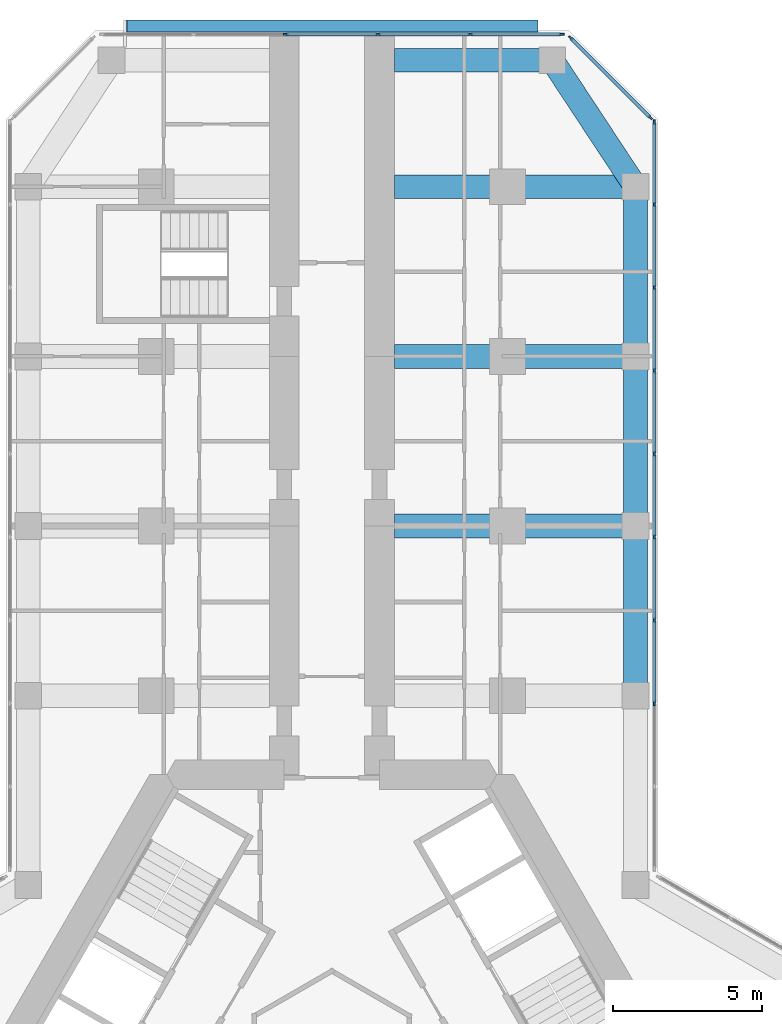
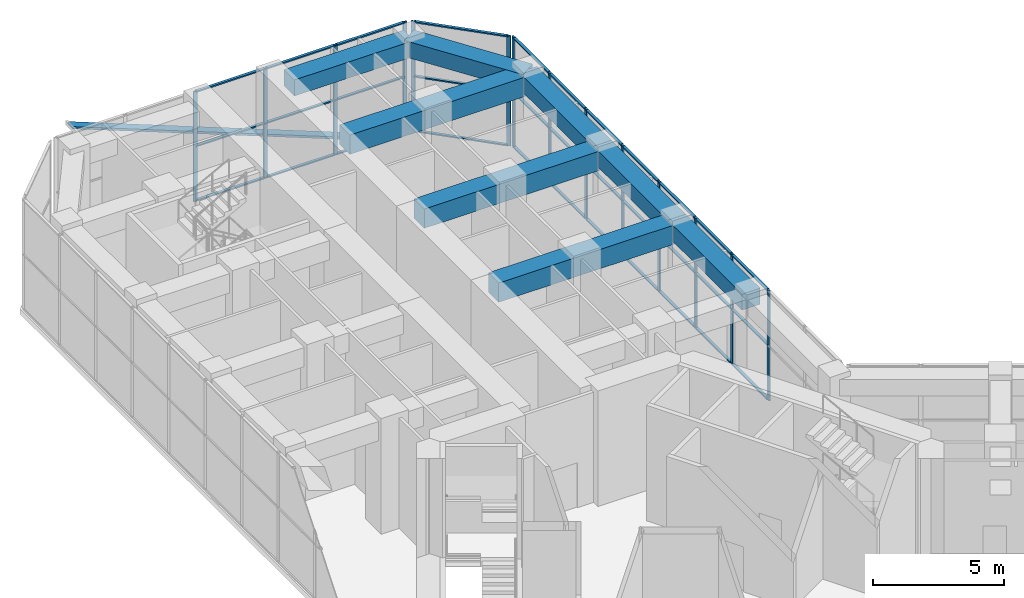
# One storey, part 9 of 23: 48 members, 8 beams, 3 elements without a shape of their own.
"""IFC4 building model written with IfcOpenShell, lengths in metres."""

from ifc_helpers import new_model, si_unit, direction, frame, origin, origin_2d, place, context, subcontext, project, spatial, rectangle, extrude, material, material_profile, profile_set, type_object, element, aggregate, save


model = new_model("IFC4")

# Units and contexts
model_context = context("Model", 3, precision=1e-05, world=origin(), true_north=direction((0.0, 1.0)))
body_context = subcontext(model_context, "Body", "Model", "MODEL_VIEW")
ifc_project = project(units=[si_unit("LENGTHUNIT", "METRE"), si_unit("AREAUNIT", "SQUARE_METRE"), si_unit("VOLUMEUNIT", "CUBIC_METRE"), si_unit("PLANEANGLEUNIT", "RADIAN"), si_unit("MASSUNIT", "GRAM", prefix="KILO")], contexts=[model_context])

# Site, building, storey
site_placement = place(None, origin())
site = spatial("IfcSite", under=ifc_project, at=site_placement, CompositionType="ELEMENT")
building_placement = place(site_placement, origin())
building = spatial("IfcBuilding", under=site, at=building_placement, Name="Kosmar Iwan School Tower", CompositionType="ELEMENT")
storey_placement = place(building_placement, frame((0.0, 0.0, 75.39990234375)))
storey = spatial("IfcBuildingStorey", under=building, at=storey_placement, Name="L18", CompositionType="ELEMENT", Elevation=75.39990234375)

# Member
ifc_material_1 = material(Name="Black anodised aluminium", Category="aluminium")
ifc_material_profile_1 = material_profile(ifc_material_1, rectangle(XDim=0.10009765625, YDim=0.39990234375, at=origin_2d()), Name="FIN 100x400")
ifc_profile_set_1 = profile_set([ifc_material_profile_1], Name="Black anodised aluminium")
member_type_1 = type_object("IfcMemberType", Name="Diagonal fin 100x400", PredefinedType="USERDEFINED", material=ifc_profile_set_1)
member_1_placement = place(storey_placement, frame((6.898193359375, 34.75, -0.14990234375), z_axis=(-0.93121262856, 0.0, 0.364476392116), x_axis=(0.364476392116, 0.0, 0.93121262856)))
element("IfcMember", 1, at=member_1_placement, inside=storey, type_object=member_type_1, Name="Diagonal fin L18-F08", ObjectType="FIN", PredefinedType="USERDEFINED", context=body_context, shape_type="SweptSolid", body=[
    extrude(rectangle(XDim=0.10009765625, YDim=0.39990234375, at=origin_2d()), origin(), (0.0, 0.0, 1.0), 14.8154296875),
])

# Curtain wall, members
ifc_material_2 = material(Name="Dark glass in black aluminium frame", Category="aluminium")
curtain_wall_type_1 = type_object("IfcCurtainWallType", Name="Winter garden curtain wall", PredefinedType="USERDEFINED", material=ifc_material_2)
curtain_wall_1_placement = place(storey_placement, origin())
curtain_wall_1 = element("IfcCurtainWall", 2, at=curtain_wall_1_placement, inside=storey, type_object=curtain_wall_type_1, Name="Curtain wall L18-F06", ObjectType="WINTER GARDEN CURTAIN WALL", PredefinedType="USERDEFINED")
ifc_material_3 = material(Name="Black anodised aluminium", Category="aluminium")
ifc_material_profile_2 = material_profile(ifc_material_3, rectangle(XDim=0.06005859375, YDim=0.159912109375, at=origin_2d()), Name="MULLION 60x160")
ifc_profile_set_2 = profile_set([ifc_material_profile_2], Name="Black anodised aluminium")
member_type_2 = type_object("IfcMemberType", Name="Mullion 60x160", PredefinedType="MULLION", material=ifc_profile_set_2)
member_2_placement = place(storey_placement, frame((10.824951171875, 11.995361328125, 0.0), z_axis=(0.0, 0.0, 1.0), x_axis=(-1.0, 0.0, 0.0)))
member_2 = element("IfcMember", 3, at=member_2_placement, type_object=member_type_2, Name="CW7 mullion 3", PredefinedType="MULLION", context=body_context, shape_type="SweptSolid", body=[
    extrude(rectangle(XDim=0.06005859375, YDim=0.159912109375, at=origin_2d()), origin(), (0.0, 0.0, 1.0), 5.150146484375),
])
member_3_placement = place(storey_placement, frame((10.824951171875, 14.788818359375, 0.0), z_axis=(0.0, 0.0, 1.0), x_axis=(-1.0, 0.0, 0.0)))
member_3 = element("IfcMember", 4, at=member_3_placement, type_object=member_type_2, Name="CW7 mullion 4", PredefinedType="MULLION", context=body_context, shape_type="SweptSolid", body=[
    extrude(rectangle(XDim=0.06005859375, YDim=0.159912109375, at=origin_2d()), origin(), (0.0, 0.0, 1.0), 5.150146484375),
])
member_4_placement = place(storey_placement, frame((10.824951171875, 17.58203125, 0.0), z_axis=(0.0, 0.0, 1.0), x_axis=(-1.0, 0.0, 0.0)))
member_4 = element("IfcMember", 5, at=member_4_placement, type_object=member_type_2, Name="CW7 mullion 5", PredefinedType="MULLION", context=body_context, shape_type="SweptSolid", body=[
    extrude(rectangle(XDim=0.06005859375, YDim=0.159912109375, at=origin_2d()), origin(), (0.0, 0.0, 1.0), 5.150146484375),
])
member_5_placement = place(storey_placement, frame((10.824951171875, 20.375244140625, 0.0), z_axis=(0.0, 0.0, 1.0), x_axis=(-1.0, 0.0, 0.0)))
member_5 = element("IfcMember", 6, at=member_5_placement, type_object=member_type_2, Name="CW7 mullion 6", PredefinedType="MULLION", context=body_context, shape_type="SweptSolid", body=[
    extrude(rectangle(XDim=0.06005859375, YDim=0.159912109375, at=origin_2d()), origin(), (0.0, 0.0, 1.0), 5.150146484375),
])
member_6_placement = place(storey_placement, frame((10.824951171875, 23.16845703125, 0.0), z_axis=(0.0, 0.0, 1.0), x_axis=(-1.0, 0.0, 0.0)))
member_6 = element("IfcMember", 7, at=member_6_placement, type_object=member_type_2, Name="CW7 mullion 7", PredefinedType="MULLION", context=body_context, shape_type="SweptSolid", body=[
    extrude(rectangle(XDim=0.06005859375, YDim=0.159912109375, at=origin_2d()), origin(), (0.0, 0.0, 1.0), 5.150146484375),
])
member_7_placement = place(storey_placement, frame((10.824951171875, 25.961669921875, 0.0), z_axis=(0.0, 0.0, 1.0), x_axis=(-1.0, 0.0, 0.0)))
member_7 = element("IfcMember", 8, at=member_7_placement, type_object=member_type_2, Name="CW7 mullion 8", PredefinedType="MULLION", context=body_context, shape_type="SweptSolid", body=[
    extrude(rectangle(XDim=0.06005859375, YDim=0.159912109375, at=origin_2d()), origin(), (0.0, 0.0, 1.0), 5.150146484375),
])
member_8_placement = place(storey_placement, frame((10.824951171875, 28.7548828125, 0.0), z_axis=(0.0, 0.0, 1.0), x_axis=(-1.0, 0.0, 0.0)))
member_8 = element("IfcMember", 9, at=member_8_placement, type_object=member_type_2, Name="CW7 mullion 9", PredefinedType="MULLION", context=body_context, shape_type="SweptSolid", body=[
    extrude(rectangle(XDim=0.06005859375, YDim=0.159912109375, at=origin_2d()), origin(), (0.0, 0.0, 1.0), 5.150146484375),
])
member_9_placement = place(storey_placement, frame((10.824951171875, 31.518310546875, 0.0), z_axis=(0.0, 0.0, 1.0), x_axis=(-1.0, 0.0, 0.0)))
member_9 = element("IfcMember", 10, at=member_9_placement, type_object=member_type_2, Name="CW7 mullion 10", PredefinedType="MULLION", context=body_context, shape_type="SweptSolid", body=[
    extrude(rectangle(XDim=0.06005859375, YDim=0.159912109375, at=origin_2d()), origin(), (0.0, 0.0, 1.0), 5.150146484375),
])

ifc_material_4 = material(Name="Dark glass in black aluminium frame", Category="aluminium")
curtain_wall_type_2 = type_object("IfcCurtainWallType", Name="Chamfer curtain wall dark glass", PredefinedType="USERDEFINED", material=ifc_material_4)
curtain_wall_2_placement = place(storey_placement, origin())
curtain_wall_2 = element("IfcCurtainWall", 11, at=curtain_wall_2_placement, inside=storey, type_object=curtain_wall_type_2, Name="Curtain wall L18-F07", ObjectType="FACETED CURTAIN WALL", PredefinedType="USERDEFINED")
member_10_placement = place(storey_placement, frame((10.69775390625, 31.675537109375, 0.0), z_axis=(0.0, 0.0, 1.0), x_axis=(-0.707106781187, -0.707106781187, 0.0)))
member_10 = element("IfcMember", 12, at=member_10_placement, type_object=member_type_2, Name="CW2 mullion 1", PredefinedType="MULLION", context=body_context, shape_type="SweptSolid", body=[
    extrude(rectangle(XDim=0.06005859375, YDim=0.159912109375, at=origin_2d()), origin(), (0.0, 0.0, 1.0), 5.150146484375),
])
member_11_placement = place(storey_placement, frame((8.025390625, 34.34765625, 0.0), z_axis=(0.0, 0.0, 1.0), x_axis=(-0.707106781187, -0.707106781187, 0.0)))
member_11 = element("IfcMember", 13, at=member_11_placement, type_object=member_type_2, Name="CW2 mullion 2", PredefinedType="MULLION", context=body_context, shape_type="SweptSolid", body=[
    extrude(rectangle(XDim=0.06005859375, YDim=0.159912109375, at=origin_2d()), origin(), (0.0, 0.0, 1.0), 5.150146484375),
])

ifc_material_5 = material(Name="Dark glass in black aluminium frame", Category="aluminium")
curtain_wall_type_3 = type_object("IfcCurtainWallType", Name="Tower curtain wall dark glass", PredefinedType="USERDEFINED", material=ifc_material_5)
curtain_wall_3_placement = place(storey_placement, origin())
curtain_wall_3 = element("IfcCurtainWall", 14, at=curtain_wall_3_placement, inside=storey, type_object=curtain_wall_type_3, Name="Curtain wall L18-F08", ObjectType="UNITISED CURTAIN WALL", PredefinedType="USERDEFINED")
member_12_placement = place(storey_placement, frame((7.71826171875, 34.47509765625, 0.0), z_axis=(0.0, 0.0, 1.0), x_axis=(0.0, -1.0, 0.0)))
member_12 = element("IfcMember", 15, at=member_12_placement, type_object=member_type_2, Name="CW1 mullion 1", PredefinedType="MULLION", context=body_context, shape_type="SweptSolid", body=[
    extrude(rectangle(XDim=0.06005859375, YDim=0.159912109375, at=origin_2d()), origin(), (0.0, 0.0, 1.0), 5.150146484375),
])
member_13_placement = place(storey_placement, frame((4.64892578125, 34.47509765625, 0.0), z_axis=(0.0, 0.0, 1.0), x_axis=(0.0, -1.0, 0.0)))
member_13 = element("IfcMember", 16, at=member_13_placement, type_object=member_type_2, Name="CW1 mullion 2", PredefinedType="MULLION", context=body_context, shape_type="SweptSolid", body=[
    extrude(rectangle(XDim=0.06005859375, YDim=0.159912109375, at=origin_2d()), origin(), (0.0, 0.0, 1.0), 5.150146484375),
])
member_14_placement = place(storey_placement, frame((1.549560546875, 34.47509765625, 0.0), z_axis=(0.0, 0.0, 1.0), x_axis=(0.0, -1.0, 0.0)))
member_14 = element("IfcMember", 17, at=member_14_placement, type_object=member_type_2, Name="CW1 mullion 3", PredefinedType="MULLION", context=body_context, shape_type="SweptSolid", body=[
    extrude(rectangle(XDim=0.06005859375, YDim=0.159912109375, at=origin_2d()), origin(), (0.0, 0.0, 1.0), 5.150146484375),
])
member_15_placement = place(storey_placement, frame((-1.549560546875, 34.47509765625, 0.0), z_axis=(0.0, 0.0, 1.0), x_axis=(0.0, -1.0, 0.0)))
member_15 = element("IfcMember", 18, at=member_15_placement, type_object=member_type_2, Name="CW1 mullion 4", PredefinedType="MULLION", context=body_context, shape_type="SweptSolid", body=[
    extrude(rectangle(XDim=0.06005859375, YDim=0.159912109375, at=origin_2d()), origin(), (0.0, 0.0, 1.0), 5.150146484375),
])

# Beams
ifc_material_6 = material(Name="Concrete C50/60", Category="concrete")
ifc_material_profile_3 = material_profile(ifc_material_6, rectangle(XDim=0.800048828125, YDim=0.75, at=origin_2d()), Name="RC 800x750")
ifc_profile_set_3 = profile_set([ifc_material_profile_3], Name="Concrete C50/60")
beam_type_1 = type_object("IfcBeamType", Name="RC edge beam 800x750", PredefinedType="BEAM", material=ifc_profile_set_3)
for number, where, z_axis, x_axis, name in (
    (19, (10.199951171875, 12.25, 4.775146484375), (0.0, 1.0, 0.0), (-1.0, 0.0, 0.0), "Edge beam AR2"),
    (20, (10.199951171875, 17.949951171875, 4.775146484375), (0.0, 1.0, 0.0), (-1.0, 0.0, 0.0), "Edge beam AR3"),
):
    element("IfcBeam", number, at=place(storey_placement, frame(where, z_axis=z_axis, x_axis=x_axis)), inside=storey, type_object=beam_type_1, Name=name, PredefinedType="BEAM", context=body_context, shape_type="SweptSolid", body=[
        extrude(rectangle(XDim=0.800048828125, YDim=0.75, at=origin_2d()), origin(), (0.0, 0.0, 1.0), 5.699951171875),
    ])
beam_1_placement = place(storey_placement, frame((10.199951171875, 23.64990234375, 4.775146484375), z_axis=(0.0, 1.0, 0.0), x_axis=(-1.0, 0.0, 0.0)))
element("IfcBeam", 21, at=beam_1_placement, inside=storey, type_object=beam_type_1, Name="Edge beam AR4", PredefinedType="BEAM", context=body_context, shape_type="SweptSolid", body=[
    extrude(rectangle(XDim=0.800048828125, YDim=0.75, at=origin_2d()), origin(), (0.0, 0.0, 1.0), 5.7001953125),
])
ifc_material_7 = material(Name="Concrete C50/60", Category="concrete")
ifc_material_profile_4 = material_profile(ifc_material_7, rectangle(XDim=0.800048828125, YDim=0.75, at=origin_2d()), Name="RC 800x750")
ifc_profile_set_4 = profile_set([ifc_material_profile_4], Name="Concrete C50/60")
beam_type_2 = type_object("IfcBeamType", Name="RC tip beam 800x750", PredefinedType="BEAM", material=ifc_profile_set_4)
beam_2_placement = place(storey_placement, frame((10.199951171875, 29.35009765625, 4.775146484375), z_axis=(-0.550164383043, 0.835056376319, 0.0), x_axis=(-0.835056376319, -0.550164383043, 0.0)))
element("IfcBeam", 22, at=beam_2_placement, inside=storey, type_object=beam_type_2, Name="Tip beam AR", PredefinedType="BEAM", context=body_context, shape_type="SweptSolid", body=[
    extrude(rectangle(XDim=0.800048828125, YDim=0.75, at=origin_2d()), origin(), (0.0, 0.0, 1.0), 5.08935546875),
])
beam_3_placement = place(storey_placement, frame((7.39990234375, 33.60009765625, 4.775146484375), z_axis=(-1.0, 0.0, 0.0), x_axis=(0.0, -1.0, 0.0)))
element("IfcBeam", 23, at=beam_3_placement, inside=storey, type_object=beam_type_2, Name="Tip beam AR to corridor wall", PredefinedType="BEAM", context=body_context, shape_type="SweptSolid", body=[
    extrude(rectangle(XDim=0.800048828125, YDim=0.75, at=origin_2d()), origin(), (0.0, 0.0, 1.0), 5.2998046875),
])
ifc_material_8 = material(Name="Concrete C50/60", Category="concrete")
ifc_material_profile_5 = material_profile(ifc_material_8, rectangle(XDim=0.800048828125, YDim=0.89990234375, at=origin_2d()), Name="RC 800x900")
ifc_profile_set_5 = profile_set([ifc_material_profile_5], Name="Concrete C50/60")
beam_type_3 = type_object("IfcBeamType", Name="RC transverse beam 800x900", PredefinedType="BEAM", material=ifc_profile_set_5)
for number, where, z_axis, x_axis, name in (
    (24, (10.199951171875, 17.949951171875, 4.7001953125), (-1.0, 0.0, 0.0), (0.0, -1.0, 0.0), "Transverse beam AR2"),
    (25, (10.199951171875, 23.64990234375, 4.7001953125), (-1.0, 0.0, 0.0), (0.0, -1.0, 0.0), "Transverse beam AR3"),
    (26, (10.199951171875, 29.35009765625, 4.7001953125), (-1.0, 0.0, 0.0), (0.0, -1.0, 0.0), "Transverse beam AR4"),
):
    element("IfcBeam", number, at=place(storey_placement, frame(where, z_axis=z_axis, x_axis=x_axis)), inside=storey, type_object=beam_type_3, Name=name, PredefinedType="BEAM", context=body_context, shape_type="SweptSolid", body=[
        extrude(rectangle(XDim=0.800048828125, YDim=0.89990234375, at=origin_2d()), origin(), (0.0, 0.0, 1.0), 8.099853515625),
    ])

# Member
ifc_material_9 = material(Name="Black anodised aluminium", Category="aluminium")
ifc_material_profile_6 = material_profile(ifc_material_9, rectangle(XDim=0.1201171875, YDim=0.06005859375, at=origin_2d()), Name="TRANSOM 60x120")
ifc_profile_set_6 = profile_set([ifc_material_profile_6], Name="Black anodised aluminium")
member_type_3 = type_object("IfcMemberType", Name="Transom 60x120", PredefinedType="USERDEFINED", material=ifc_profile_set_6)
member_16_placement = place(storey_placement, frame((10.824951171875, 12.025390625, 0.030029296875), z_axis=(0.0, 1.0, 0.0), x_axis=(-1.0, 0.0, 0.0)))
member_16 = element("IfcMember", 27, at=member_16_placement, type_object=member_type_3, Name="CW7 transom 3.1", ObjectType="TRANSOM", PredefinedType="USERDEFINED", context=body_context, shape_type="SweptSolid", body=[
    extrude(rectangle(XDim=0.1201171875, YDim=0.06005859375, at=origin_2d()), origin(), (0.0, 0.0, 1.0), 2.7333984375),
])

member_17_placement = place(storey_placement, frame((10.824951171875, 12.025390625, 2.5751953125), z_axis=(0.0, 1.0, 0.0), x_axis=(-1.0, 0.0, 0.0)))
member_17 = element("IfcMember", 28, at=member_17_placement, type_object=member_type_3, Name="CW7 transom 3.2", ObjectType="TRANSOM", PredefinedType="USERDEFINED", context=body_context, shape_type="SweptSolid", body=[
    extrude(rectangle(XDim=0.1201171875, YDim=0.06005859375, at=origin_2d()), origin(), (0.0, 0.0, 1.0), 2.7333984375),
])

member_18_placement = place(storey_placement, frame((10.824951171875, 12.025390625, 5.1201171875), z_axis=(0.0, 1.0, 0.0), x_axis=(-1.0, 0.0, 0.0)))
member_18 = element("IfcMember", 29, at=member_18_placement, type_object=member_type_3, Name="CW7 transom 3.3", ObjectType="TRANSOM", PredefinedType="USERDEFINED", context=body_context, shape_type="SweptSolid", body=[
    extrude(rectangle(XDim=0.1201171875, YDim=0.06005859375, at=origin_2d()), origin(), (0.0, 0.0, 1.0), 2.7333984375),
])

member_19_placement = place(storey_placement, frame((10.824951171875, 14.818603515625, 0.030029296875), z_axis=(0.0, 1.0, 0.0), x_axis=(-1.0, 0.0, 0.0)))
member_19 = element("IfcMember", 30, at=member_19_placement, type_object=member_type_3, Name="CW7 transom 4.1", ObjectType="TRANSOM", PredefinedType="USERDEFINED", context=body_context, shape_type="SweptSolid", body=[
    extrude(rectangle(XDim=0.1201171875, YDim=0.06005859375, at=origin_2d()), origin(), (0.0, 0.0, 1.0), 2.7333984375),
])

member_20_placement = place(storey_placement, frame((10.824951171875, 14.818603515625, 2.5751953125), z_axis=(0.0, 1.0, 0.0), x_axis=(-1.0, 0.0, 0.0)))
member_20 = element("IfcMember", 31, at=member_20_placement, type_object=member_type_3, Name="CW7 transom 4.2", ObjectType="TRANSOM", PredefinedType="USERDEFINED", context=body_context, shape_type="SweptSolid", body=[
    extrude(rectangle(XDim=0.1201171875, YDim=0.06005859375, at=origin_2d()), origin(), (0.0, 0.0, 1.0), 2.7333984375),
])

member_21_placement = place(storey_placement, frame((10.824951171875, 14.818603515625, 5.1201171875), z_axis=(0.0, 1.0, 0.0), x_axis=(-1.0, 0.0, 0.0)))
member_21 = element("IfcMember", 32, at=member_21_placement, type_object=member_type_3, Name="CW7 transom 4.3", ObjectType="TRANSOM", PredefinedType="USERDEFINED", context=body_context, shape_type="SweptSolid", body=[
    extrude(rectangle(XDim=0.1201171875, YDim=0.06005859375, at=origin_2d()), origin(), (0.0, 0.0, 1.0), 2.7333984375),
])

member_22_placement = place(storey_placement, frame((10.824951171875, 17.612060546875, 0.030029296875), z_axis=(0.0, 1.0, 0.0), x_axis=(-1.0, 0.0, 0.0)))
member_22 = element("IfcMember", 33, at=member_22_placement, type_object=member_type_3, Name="CW7 transom 5.1", ObjectType="TRANSOM", PredefinedType="USERDEFINED", context=body_context, shape_type="SweptSolid", body=[
    extrude(rectangle(XDim=0.1201171875, YDim=0.06005859375, at=origin_2d()), origin(), (0.0, 0.0, 1.0), 2.733154296875),
])

member_23_placement = place(storey_placement, frame((10.824951171875, 17.612060546875, 2.5751953125), z_axis=(0.0, 1.0, 0.0), x_axis=(-1.0, 0.0, 0.0)))
member_23 = element("IfcMember", 34, at=member_23_placement, type_object=member_type_3, Name="CW7 transom 5.2", ObjectType="TRANSOM", PredefinedType="USERDEFINED", context=body_context, shape_type="SweptSolid", body=[
    extrude(rectangle(XDim=0.1201171875, YDim=0.06005859375, at=origin_2d()), origin(), (0.0, 0.0, 1.0), 2.733154296875),
])

member_24_placement = place(storey_placement, frame((10.824951171875, 17.612060546875, 5.1201171875), z_axis=(0.0, 1.0, 0.0), x_axis=(-1.0, 0.0, 0.0)))
member_24 = element("IfcMember", 35, at=member_24_placement, type_object=member_type_3, Name="CW7 transom 5.3", ObjectType="TRANSOM", PredefinedType="USERDEFINED", context=body_context, shape_type="SweptSolid", body=[
    extrude(rectangle(XDim=0.1201171875, YDim=0.06005859375, at=origin_2d()), origin(), (0.0, 0.0, 1.0), 2.733154296875),
])

member_25_placement = place(storey_placement, frame((10.824951171875, 20.4052734375, 0.030029296875), z_axis=(0.0, 1.0, 0.0), x_axis=(-1.0, 0.0, 0.0)))
member_25 = element("IfcMember", 36, at=member_25_placement, type_object=member_type_3, Name="CW7 transom 6.1", ObjectType="TRANSOM", PredefinedType="USERDEFINED", context=body_context, shape_type="SweptSolid", body=[
    extrude(rectangle(XDim=0.1201171875, YDim=0.06005859375, at=origin_2d()), origin(), (0.0, 0.0, 1.0), 2.733154296875),
])

member_26_placement = place(storey_placement, frame((10.824951171875, 20.4052734375, 2.5751953125), z_axis=(0.0, 1.0, 0.0), x_axis=(-1.0, 0.0, 0.0)))
member_26 = element("IfcMember", 37, at=member_26_placement, type_object=member_type_3, Name="CW7 transom 6.2", ObjectType="TRANSOM", PredefinedType="USERDEFINED", context=body_context, shape_type="SweptSolid", body=[
    extrude(rectangle(XDim=0.1201171875, YDim=0.06005859375, at=origin_2d()), origin(), (0.0, 0.0, 1.0), 2.733154296875),
])

member_27_placement = place(storey_placement, frame((10.824951171875, 20.4052734375, 5.1201171875), z_axis=(0.0, 1.0, 0.0), x_axis=(-1.0, 0.0, 0.0)))
member_27 = element("IfcMember", 38, at=member_27_placement, type_object=member_type_3, Name="CW7 transom 6.3", ObjectType="TRANSOM", PredefinedType="USERDEFINED", context=body_context, shape_type="SweptSolid", body=[
    extrude(rectangle(XDim=0.1201171875, YDim=0.06005859375, at=origin_2d()), origin(), (0.0, 0.0, 1.0), 2.733154296875),
])

member_28_placement = place(storey_placement, frame((10.824951171875, 23.198486328125, 0.030029296875), z_axis=(0.0, 1.0, 0.0), x_axis=(-1.0, 0.0, 0.0)))
member_28 = element("IfcMember", 39, at=member_28_placement, type_object=member_type_3, Name="CW7 transom 7.1", ObjectType="TRANSOM", PredefinedType="USERDEFINED", context=body_context, shape_type="SweptSolid", body=[
    extrude(rectangle(XDim=0.1201171875, YDim=0.06005859375, at=origin_2d()), origin(), (0.0, 0.0, 1.0), 2.733154296875),
])

member_29_placement = place(storey_placement, frame((10.824951171875, 23.198486328125, 2.5751953125), z_axis=(0.0, 1.0, 0.0), x_axis=(-1.0, 0.0, 0.0)))
member_29 = element("IfcMember", 40, at=member_29_placement, type_object=member_type_3, Name="CW7 transom 7.2", ObjectType="TRANSOM", PredefinedType="USERDEFINED", context=body_context, shape_type="SweptSolid", body=[
    extrude(rectangle(XDim=0.1201171875, YDim=0.06005859375, at=origin_2d()), origin(), (0.0, 0.0, 1.0), 2.733154296875),
])

member_30_placement = place(storey_placement, frame((10.824951171875, 23.198486328125, 5.1201171875), z_axis=(0.0, 1.0, 0.0), x_axis=(-1.0, 0.0, 0.0)))
member_30 = element("IfcMember", 41, at=member_30_placement, type_object=member_type_3, Name="CW7 transom 7.3", ObjectType="TRANSOM", PredefinedType="USERDEFINED", context=body_context, shape_type="SweptSolid", body=[
    extrude(rectangle(XDim=0.1201171875, YDim=0.06005859375, at=origin_2d()), origin(), (0.0, 0.0, 1.0), 2.733154296875),
])

member_31_placement = place(storey_placement, frame((10.824951171875, 25.99169921875, 0.030029296875), z_axis=(0.0, 1.0, 0.0), x_axis=(-1.0, 0.0, 0.0)))
member_31 = element("IfcMember", 42, at=member_31_placement, type_object=member_type_3, Name="CW7 transom 8.1", ObjectType="TRANSOM", PredefinedType="USERDEFINED", context=body_context, shape_type="SweptSolid", body=[
    extrude(rectangle(XDim=0.1201171875, YDim=0.06005859375, at=origin_2d()), origin(), (0.0, 0.0, 1.0), 2.733154296875),
])

member_32_placement = place(storey_placement, frame((10.824951171875, 25.99169921875, 2.5751953125), z_axis=(0.0, 1.0, 0.0), x_axis=(-1.0, 0.0, 0.0)))
member_32 = element("IfcMember", 43, at=member_32_placement, type_object=member_type_3, Name="CW7 transom 8.2", ObjectType="TRANSOM", PredefinedType="USERDEFINED", context=body_context, shape_type="SweptSolid", body=[
    extrude(rectangle(XDim=0.1201171875, YDim=0.06005859375, at=origin_2d()), origin(), (0.0, 0.0, 1.0), 2.733154296875),
])

member_33_placement = place(storey_placement, frame((10.824951171875, 25.99169921875, 5.1201171875), z_axis=(0.0, 1.0, 0.0), x_axis=(-1.0, 0.0, 0.0)))
member_33 = element("IfcMember", 44, at=member_33_placement, type_object=member_type_3, Name="CW7 transom 8.3", ObjectType="TRANSOM", PredefinedType="USERDEFINED", context=body_context, shape_type="SweptSolid", body=[
    extrude(rectangle(XDim=0.1201171875, YDim=0.06005859375, at=origin_2d()), origin(), (0.0, 0.0, 1.0), 2.733154296875),
])

member_34_placement = place(storey_placement, frame((10.824951171875, 28.784912109375, 0.030029296875), z_axis=(0.0, 1.0, 0.0), x_axis=(-1.0, 0.0, 0.0)))
member_34 = element("IfcMember", 45, at=member_34_placement, type_object=member_type_3, Name="CW7 transom 9.1", ObjectType="TRANSOM", PredefinedType="USERDEFINED", context=body_context, shape_type="SweptSolid", body=[
    extrude(rectangle(XDim=0.1201171875, YDim=0.06005859375, at=origin_2d()), origin(), (0.0, 0.0, 1.0), 2.703369140625),
])

member_35_placement = place(storey_placement, frame((10.824951171875, 28.784912109375, 2.5751953125), z_axis=(0.0, 1.0, 0.0), x_axis=(-1.0, 0.0, 0.0)))
member_35 = element("IfcMember", 46, at=member_35_placement, type_object=member_type_3, Name="CW7 transom 9.2", ObjectType="TRANSOM", PredefinedType="USERDEFINED", context=body_context, shape_type="SweptSolid", body=[
    extrude(rectangle(XDim=0.1201171875, YDim=0.06005859375, at=origin_2d()), origin(), (0.0, 0.0, 1.0), 2.703369140625),
])

member_36_placement = place(storey_placement, frame((10.824951171875, 28.784912109375, 5.1201171875), z_axis=(0.0, 1.0, 0.0), x_axis=(-1.0, 0.0, 0.0)))
member_36 = element("IfcMember", 47, at=member_36_placement, type_object=member_type_3, Name="CW7 transom 9.3", ObjectType="TRANSOM", PredefinedType="USERDEFINED", context=body_context, shape_type="SweptSolid", body=[
    extrude(rectangle(XDim=0.1201171875, YDim=0.06005859375, at=origin_2d()), origin(), (0.0, 0.0, 1.0), 2.703369140625),
])

aggregate(curtain_wall_1, [member_2, member_3, member_4, member_5, member_6, member_7, member_8, member_9, member_16, member_17, member_18, member_19, member_20, member_21, member_22, member_23, member_24, member_25, member_26, member_27, member_28, member_29, member_30, member_31, member_32, member_33, member_34, member_35, member_36])

member_37_placement = place(storey_placement, frame((10.676513671875, 31.69677734375, 0.030029296875), z_axis=(-0.707139603466, 0.707073957383, 0.0), x_axis=(-0.707073957383, -0.707139603466, 0.0)))
member_37 = element("IfcMember", 48, at=member_37_placement, type_object=member_type_3, Name="CW2 transom 1.1", ObjectType="TRANSOM", PredefinedType="USERDEFINED", context=body_context, shape_type="SweptSolid", body=[
    extrude(rectangle(XDim=0.1201171875, YDim=0.06005859375, at=origin_2d()), origin(), (0.0, 0.0, 1.0), 3.718994140625),
])

member_38_placement = place(storey_placement, frame((10.676513671875, 31.69677734375, 2.5751953125), z_axis=(-0.707139603466, 0.707073957383, 0.0), x_axis=(-0.707073957383, -0.707139603466, 0.0)))
member_38 = element("IfcMember", 49, at=member_38_placement, type_object=member_type_3, Name="CW2 transom 1.2", ObjectType="TRANSOM", PredefinedType="USERDEFINED", context=body_context, shape_type="SweptSolid", body=[
    extrude(rectangle(XDim=0.1201171875, YDim=0.06005859375, at=origin_2d()), origin(), (0.0, 0.0, 1.0), 3.718994140625),
])

member_39_placement = place(storey_placement, frame((10.676513671875, 31.69677734375, 5.1201171875), z_axis=(-0.707139603466, 0.707073957383, 0.0), x_axis=(-0.707073957383, -0.707139603466, 0.0)))
member_39 = element("IfcMember", 50, at=member_39_placement, type_object=member_type_3, Name="CW2 transom 1.3", ObjectType="TRANSOM", PredefinedType="USERDEFINED", context=body_context, shape_type="SweptSolid", body=[
    extrude(rectangle(XDim=0.1201171875, YDim=0.06005859375, at=origin_2d()), origin(), (0.0, 0.0, 1.0), 3.718994140625),
])

aggregate(curtain_wall_2, [member_10, member_11, member_37, member_38, member_39])

member_40_placement = place(storey_placement, frame((7.688232421875, 34.47509765625, 0.030029296875), z_axis=(-1.0, 0.0, 0.0), x_axis=(0.0, -1.0, 0.0)))
member_40 = element("IfcMember", 51, at=member_40_placement, type_object=member_type_3, Name="CW1 transom 1.1", ObjectType="TRANSOM", PredefinedType="USERDEFINED", context=body_context, shape_type="SweptSolid", body=[
    extrude(rectangle(XDim=0.1201171875, YDim=0.06005859375, at=origin_2d()), origin(), (0.0, 0.0, 1.0), 3.00927734375),
])

member_41_placement = place(storey_placement, frame((7.688232421875, 34.47509765625, 2.5751953125), z_axis=(-1.0, 0.0, 0.0), x_axis=(0.0, -1.0, 0.0)))
member_41 = element("IfcMember", 52, at=member_41_placement, type_object=member_type_3, Name="CW1 transom 1.2", ObjectType="TRANSOM", PredefinedType="USERDEFINED", context=body_context, shape_type="SweptSolid", body=[
    extrude(rectangle(XDim=0.1201171875, YDim=0.06005859375, at=origin_2d()), origin(), (0.0, 0.0, 1.0), 3.00927734375),
])

member_42_placement = place(storey_placement, frame((7.688232421875, 34.47509765625, 5.1201171875), z_axis=(-1.0, 0.0, 0.0), x_axis=(0.0, -1.0, 0.0)))
member_42 = element("IfcMember", 53, at=member_42_placement, type_object=member_type_3, Name="CW1 transom 1.3", ObjectType="TRANSOM", PredefinedType="USERDEFINED", context=body_context, shape_type="SweptSolid", body=[
    extrude(rectangle(XDim=0.1201171875, YDim=0.06005859375, at=origin_2d()), origin(), (0.0, 0.0, 1.0), 3.00927734375),
])

member_43_placement = place(storey_placement, frame((4.618896484375, 34.47509765625, 0.030029296875), z_axis=(-1.0, 0.0, 0.0), x_axis=(0.0, -1.0, 0.0)))
member_43 = element("IfcMember", 54, at=member_43_placement, type_object=member_type_3, Name="CW1 transom 2.1", ObjectType="TRANSOM", PredefinedType="USERDEFINED", context=body_context, shape_type="SweptSolid", body=[
    extrude(rectangle(XDim=0.1201171875, YDim=0.06005859375, at=origin_2d()), origin(), (0.0, 0.0, 1.0), 3.039306640625),
])

member_44_placement = place(storey_placement, frame((4.618896484375, 34.47509765625, 2.5751953125), z_axis=(-1.0, 0.0, 0.0), x_axis=(0.0, -1.0, 0.0)))
member_44 = element("IfcMember", 55, at=member_44_placement, type_object=member_type_3, Name="CW1 transom 2.2", ObjectType="TRANSOM", PredefinedType="USERDEFINED", context=body_context, shape_type="SweptSolid", body=[
    extrude(rectangle(XDim=0.1201171875, YDim=0.06005859375, at=origin_2d()), origin(), (0.0, 0.0, 1.0), 3.039306640625),
])

member_45_placement = place(storey_placement, frame((4.618896484375, 34.47509765625, 5.1201171875), z_axis=(-1.0, 0.0, 0.0), x_axis=(0.0, -1.0, 0.0)))
member_45 = element("IfcMember", 56, at=member_45_placement, type_object=member_type_3, Name="CW1 transom 2.3", ObjectType="TRANSOM", PredefinedType="USERDEFINED", context=body_context, shape_type="SweptSolid", body=[
    extrude(rectangle(XDim=0.1201171875, YDim=0.06005859375, at=origin_2d()), origin(), (0.0, 0.0, 1.0), 3.039306640625),
])

member_46_placement = place(storey_placement, frame((1.51953125, 34.47509765625, 0.030029296875), z_axis=(-1.0, 0.0, 0.0), x_axis=(0.0, -1.0, 0.0)))
member_46 = element("IfcMember", 57, at=member_46_placement, type_object=member_type_3, Name="CW1 transom 3.1", ObjectType="TRANSOM", PredefinedType="USERDEFINED", context=body_context, shape_type="SweptSolid", body=[
    extrude(rectangle(XDim=0.1201171875, YDim=0.06005859375, at=origin_2d()), origin(), (0.0, 0.0, 1.0), 3.0390625),
])

member_47_placement = place(storey_placement, frame((1.51953125, 34.47509765625, 2.5751953125), z_axis=(-1.0, 0.0, 0.0), x_axis=(0.0, -1.0, 0.0)))
member_47 = element("IfcMember", 58, at=member_47_placement, type_object=member_type_3, Name="CW1 transom 3.2", ObjectType="TRANSOM", PredefinedType="USERDEFINED", context=body_context, shape_type="SweptSolid", body=[
    extrude(rectangle(XDim=0.1201171875, YDim=0.06005859375, at=origin_2d()), origin(), (0.0, 0.0, 1.0), 3.0390625),
])

member_48_placement = place(storey_placement, frame((1.51953125, 34.47509765625, 5.1201171875), z_axis=(-1.0, 0.0, 0.0), x_axis=(0.0, -1.0, 0.0)))
member_48 = element("IfcMember", 59, at=member_48_placement, type_object=member_type_3, Name="CW1 transom 3.3", ObjectType="TRANSOM", PredefinedType="USERDEFINED", context=body_context, shape_type="SweptSolid", body=[
    extrude(rectangle(XDim=0.1201171875, YDim=0.06005859375, at=origin_2d()), origin(), (0.0, 0.0, 1.0), 3.0390625),
])

aggregate(curtain_wall_3, [member_12, member_13, member_14, member_15, member_40, member_41, member_42, member_43, member_44, member_45, member_46, member_47, member_48])

save(model, "model.ifc")
